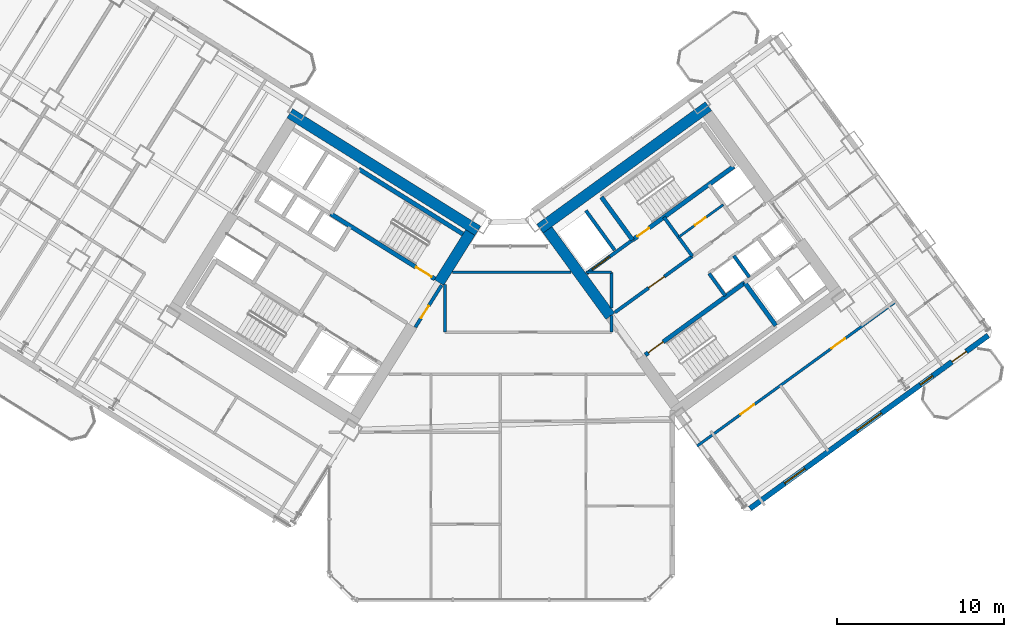
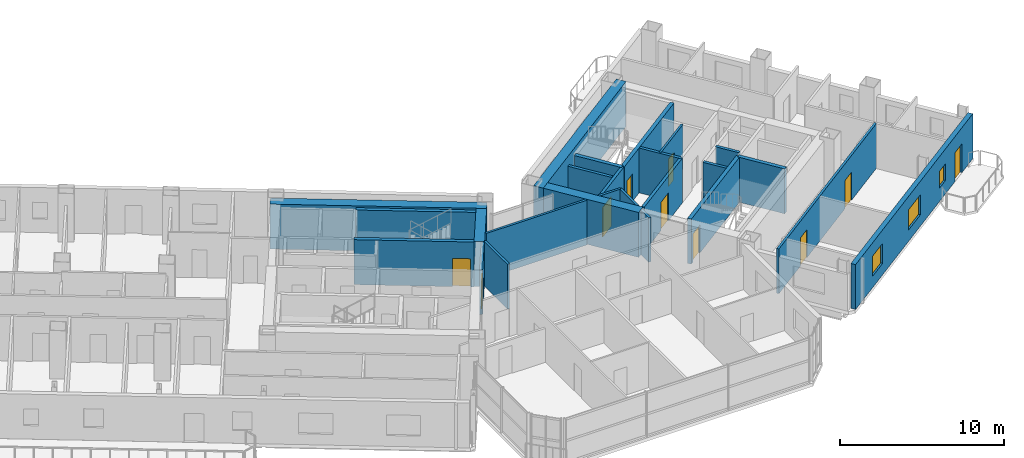
# One storey, part 18 of 24: 25 walls, 10 doors, 3 windows, 13 openings.
"""IFC4 building model written with IfcOpenShell, lengths in metres."""

from ifc_helpers import new_model, si_unit, direction, frame, frame_2d, origin, place, context, subcontext, project, spatial, rectangle, extrude, source, transform, mapped, material, layer, layer_set, type_object, element, fill, save


model = new_model("IFC4")

# Units and contexts
model_context = context("Model", 3, precision=1e-05, world=origin(), true_north=direction((0.0, 1.0)))
body_context = subcontext(model_context, "Body", "Model", "MODEL_VIEW")
ifc_project = project(units=[si_unit("LENGTHUNIT", "METRE"), si_unit("AREAUNIT", "SQUARE_METRE"), si_unit("VOLUMEUNIT", "CUBIC_METRE"), si_unit("PLANEANGLEUNIT", "RADIAN"), si_unit("MASSUNIT", "GRAM", prefix="KILO")], contexts=[model_context])

# Site, building, storey
site_placement = place(None, origin())
site = spatial("IfcSite", under=ifc_project, at=site_placement, CompositionType="ELEMENT")
building_placement = place(site_placement, origin())
building = spatial("IfcBuilding", under=site, at=building_placement, Name="Tlacorven Tower", CompositionType="ELEMENT")
storey_placement = place(building_placement, frame((0.0, 0.0, 60.0)))
storey = spatial("IfcBuildingStorey", under=building, at=storey_placement, Name="L15", CompositionType="ELEMENT", Elevation=60.0)

# Walls
ifc_material_1 = material(Name="Concrete C60/75", Category="concrete")
ifc_layer_1 = layer(ifc_material_1, 0.64990234375)
ifc_layer_set_1 = layer_set([ifc_layer_1], Name="Concrete C60/75")
wall_type_1 = type_object("IfcWallType", Name="WL-COR-650", PredefinedType="SHEAR", material=ifc_layer_set_1)
wall_1_placement = place(storey_placement, frame((40.615478515625, 23.9833984375, 0.0), z_axis=(0.0, 0.0, 1.0), x_axis=(-0.848045953968, 0.529922692436, 0.0)))
element("IfcWall", 1, at=wall_1_placement, inside=storey, type_object=wall_type_1, Name="L15 W core shear wall S1", PredefinedType="SHEAR", context=body_context, shape_type="SweptSolid", body=[
    extrude(rectangle(XDim=13.239990234375, YDim=0.64990234375, at=frame_2d((6.6201171875, 0.0))), origin(), (0.0, 0.0, 1.0), 3.35009765625),
])
wall_2_placement = place(storey_placement, frame((40.167724609375, 23.880126953125, 0.0), z_axis=(0.0, 0.0, 1.0), x_axis=(-0.529893103397, -0.8480644427, 0.0)))
element("IfcWall", 2, at=wall_2_placement, inside=storey, type_object=wall_type_1, Name="L15 W core end wall E1.1", PredefinedType="SHEAR", context=body_context, shape_type="SweptSolid", body=[
    extrude(rectangle(XDim=3.525146484375, YDim=0.64990234375, at=frame_2d((1.7626953125, 0.0))), origin(), (0.0, 0.0, 1.0), 3.35009765625),
])
wall_3_placement = place(storey_placement, frame((44.32470703125, 24.113037109375, 0.0), z_axis=(0.0, 0.0, 1.0), x_axis=(0.809012664862, 0.58779121131, 0.0)))
element("IfcWall", 3, at=wall_3_placement, inside=storey, type_object=wall_type_1, Name="L15 E core shear wall S2", PredefinedType="SHEAR", context=body_context, shape_type="SweptSolid", body=[
    extrude(rectangle(XDim=12.439697265625, YDim=0.64990234375, at=frame_2d((6.2197265625, 0.0))), origin(), (0.0, 0.0, 1.0), 3.35009765625),
])
wall_4_placement = place(storey_placement, frame((48.525634765625, 18.883544921875, 0.0), z_axis=(0.0, 0.0, 1.0), x_axis=(-0.58777996584, 0.809020835181, 0.0)))
element("IfcWall", 4, at=wall_4_placement, inside=storey, type_object=wall_type_1, Name="L15 E core end wall E1.2", PredefinedType="SHEAR", context=body_context, shape_type="SweptSolid", body=[
    extrude(rectangle(XDim=6.375, YDim=0.64990234375, at=frame_2d((3.1875, 0.0))), origin(), (0.0, 0.0, 1.0), 3.35009765625),
])
ifc_material_2 = material(Name="Gypsum plasterboard acoustic partition", Category="gypsum")
ifc_layer_2 = layer(ifc_material_2, 0.159912109375)
ifc_layer_set_2 = layer_set([ifc_layer_2], Name="Gypsum plasterboard acoustic partition")
wall_type_2 = type_object("IfcWallType", Name="WL-DEM-160", PredefinedType="PARTITIONING", material=ifc_layer_set_2)
wall_5_placement = place(storey_placement, frame((38.64990234375, 17.929931640625, 0.0), z_axis=(0.0, 0.0, 1.0), x_axis=(0.0, 1.0, 0.0)))
element("IfcWall", 5, at=wall_5_placement, inside=storey, type_object=wall_type_2, Name="L15 partition 75", PredefinedType="PARTITIONING", context=body_context, shape_type="SweptSolid", body=[
    extrude(rectangle(XDim=2.85693359375, YDim=0.159912109375, at=frame_2d((1.428466796875, 0.0))), origin(), (0.0, 0.0, 1.0), 3.340087890625),
])
wall_6_placement = place(storey_placement, frame((48.60009765625, 17.929931640625, 0.0), z_axis=(0.0, 0.0, 1.0), x_axis=(0.0, 1.0, 0.0)))
element("IfcWall", 6, at=wall_6_placement, inside=storey, type_object=wall_type_2, Name="L15 partition 76", PredefinedType="PARTITIONING", context=body_context, shape_type="SweptSolid", body=[
    extrude(rectangle(XDim=0.99267578125, YDim=0.159912109375, at=frame_2d((0.496337890625, 0.0))), origin(), (0.0, 0.0, 1.0), 3.340087890625),
])
wall_7_placement = place(storey_placement, frame((48.60009765625, 19.380126953125, 0.0), z_axis=(0.0, 0.0, 1.0), x_axis=(0.0, 1.0, 0.0)))
element("IfcWall", 7, at=wall_7_placement, inside=storey, type_object=wall_type_2, Name="L15 partition 76", PredefinedType="PARTITIONING", context=body_context, shape_type="SweptSolid", body=[
    extrude(rectangle(XDim=2.119873046875, YDim=0.159912109375, at=frame_2d((1.06005859375, 0.0))), origin(), (0.0, 0.0, 1.0), 3.340087890625),
])
wall_8_placement = place(storey_placement, frame((39.095458984375, 21.5, 0.0), z_axis=(0.0, 0.0, 1.0), x_axis=(1.0, 0.0, 0.0)))
element("IfcWall", 8, at=wall_8_placement, inside=storey, type_object=wall_type_2, Name="L15 partition 77", PredefinedType="PARTITIONING", context=body_context, shape_type="SweptSolid", body=[
    extrude(rectangle(XDim=7.09423828125, YDim=0.159912109375, at=frame_2d((3.547119140625, 0.0))), origin(), (0.0, 0.0, 1.0), 3.340087890625),
])
wall_9_placement = place(storey_placement, frame((47.059814453125, 21.5, 0.0), z_axis=(0.0, 0.0, 1.0), x_axis=(1.0, 0.0, 0.0)))
element("IfcWall", 9, at=wall_9_placement, inside=storey, type_object=wall_type_2, Name="L15 partition 77", PredefinedType="PARTITIONING", context=body_context, shape_type="SweptSolid", body=[
    extrude(rectangle(XDim=1.540283203125, YDim=0.159912109375, at=frame_2d((0.77001953125, 0.0))), origin(), (0.0, 0.0, 1.0), 3.340087890625),
])

# Wall, openings, doors
wall_10_placement = place(storey_placement, frame((53.70458984375, 11.1259765625, 0.0), z_axis=(0.0, 0.0, 1.0), x_axis=(0.809014504436, 0.587788679384, 0.0)))
wall_10 = element("IfcWall", 10, at=wall_10_placement, inside=storey, type_object=wall_type_2, Name="L15 partition 98", PredefinedType="PARTITIONING", context=body_context, shape_type="SweptSolid", body=[
    extrude(rectangle(XDim=14.669921875, YDim=0.159912109375, at=frame_2d((7.3349609375, 0.0))), origin(), (0.0, 0.0, 1.0), 3.340087890625),
])
opening_1_placement = place(wall_10_placement, frame((3.215087890625, 0.0, 0.0)))
opening_1 = element("IfcOpeningElement", 11, at=opening_1_placement, cuts=wall_10, Name="Opening D11", PredefinedType="OPENING", context=body_context, shape_type="SweptSolid", body=[
    extrude(rectangle(XDim=1.0, YDim=2.10009765625, at=frame_2d((0.5, 1.050048828125))), frame((0.0, 0.08984375, 0.0), z_axis=(0.0, -1.0, 0.0), x_axis=(1.0, 0.0, 0.0)), (0.0, 0.0, 1.0), 0.179931640625),
])
opening_2_placement = place(wall_10_placement, frame((9.9150390625, 0.0, 0.0)))
opening_2 = element("IfcOpeningElement", 12, at=opening_2_placement, cuts=wall_10, Name="Opening D11", PredefinedType="OPENING", context=body_context, shape_type="SweptSolid", body=[
    extrude(rectangle(XDim=1.0, YDim=2.10009765625, at=frame_2d((0.5, 1.050048828125))), frame((0.0, 0.08984375, 0.0), z_axis=(0.0, -1.0, 0.0), x_axis=(1.0, 0.0, 0.0)), (0.0, 0.0, 1.0), 0.179931640625),
])
ifc_material_3 = material(Name="Fire-rated steel door assembly", Category="steel")
door_type_1 = type_object("IfcDoorType", Name="DR-FLT-FD60-1000", OperationType="NOTDEFINED", PredefinedType="DOOR", material=ifc_material_3)
shared_shape_1 = source(origin(), body_context, "Body", "SweptSolid", [
    extrude(rectangle(XDim=1.0, YDim=2.10009765625, at=frame_2d((0.5, 1.050048828125))), frame((0.0, 0.02490234375, 0.0), z_axis=(0.0, -1.0, 0.0), x_axis=(1.0, 0.0, 0.0)), (0.0, 0.0, 1.0), 0.050048828125),
])
door_1_placement = place(opening_1_placement, origin())
door_1 = element("IfcDoor", 13, at=door_1_placement, inside=storey, type_object=door_type_1, Name="L15 door 059", OperationType="SINGLE_SWING_RIGHT", OverallHeight=2.10009765625, OverallWidth=1.0, PredefinedType="DOOR", context=body_context, shape_type="MappedRepresentation", body=[
    mapped(shared_shape_1, transform((0.0, 0.0, 0.0), scale=1.0)),
])
fill(opening_1, door_1)
door_2_placement = place(opening_2_placement, origin())
door_2 = element("IfcDoor", 14, at=door_2_placement, inside=storey, type_object=door_type_1, Name="L15 door 060", OperationType="SINGLE_SWING_LEFT", OverallHeight=2.10009765625, OverallWidth=1.0, PredefinedType="DOOR", context=body_context, shape_type="MappedRepresentation", body=[
    mapped(shared_shape_1, transform((0.0, 0.0, 0.0), scale=1.0)),
])
fill(opening_2, door_2)

# Wall, openings, door, windows
ifc_material_4 = material(Name="Precast concrete C45/55", Category="concrete")
ifc_layer_3 = layer(ifc_material_4, 0.320068359375)
ifc_layer_set_3 = layer_set([ifc_layer_3], Name="Precast concrete C45/55")
wall_type_3 = type_object("IfcWallType", Name="WL-EXT-320", PredefinedType="STANDARD", material=ifc_layer_set_3)
wall_11_placement = place(storey_placement, frame((71.097900390625, 17.73095703125, 0.0), z_axis=(0.0, 0.0, 1.0), x_axis=(-0.809021120468, -0.587779573171, 0.0)))
wall_11 = element("IfcWall", 15, at=wall_11_placement, inside=storey, type_object=wall_type_3, Name="L15 Masonry-Frame Recessed Facade Wall 6", PredefinedType="STANDARD", context=body_context, shape_type="SweptSolid", body=[
    extrude(rectangle(XDim=17.587646484375, YDim=0.320068359375, at=frame_2d((8.7939453125, 0.0))), origin(), (0.0, 0.0, 1.0), 3.35009765625),
])
opening_3_placement = place(wall_11_placement, frame((1.623779296875, 0.0, 0.0)))
opening_3 = element("IfcOpeningElement", 16, at=opening_3_placement, cuts=wall_11, Name="Opening D06", PredefinedType="OPENING", context=body_context, shape_type="SweptSolid", body=[
    extrude(rectangle(XDim=1.050048828125, YDim=2.14990234375, at=frame_2d((0.52490234375, 1.074951171875))), frame((0.0, 0.169921875, 0.0), z_axis=(0.0, -1.0, 0.0), x_axis=(1.0, 0.0, 0.0)), (0.0, 0.0, 1.0), 0.340087890625),
])
opening_4_placement = place(wall_11_placement, frame((4.103759765625, 0.0, 1.0)))
opening_4 = element("IfcOpeningElement", 17, at=opening_4_placement, cuts=wall_11, Name="Opening WN05", PredefinedType="OPENING", context=body_context, shape_type="SweptSolid", body=[
    extrude(rectangle(XDim=0.89990234375, YDim=1.25, at=frame_2d((0.449951171875, 0.625))), frame((0.0, 0.169921875, 0.0), z_axis=(0.0, -1.0, 0.0), x_axis=(1.0, 0.0, 0.0)), (0.0, 0.0, 1.0), 0.340087890625),
])
opening_5_placement = place(wall_11_placement, frame((7.878662109375, 0.0, 0.85009765625)))
opening_5 = element("IfcOpeningElement", 18, at=opening_5_placement, cuts=wall_11, Name="Opening WN01", PredefinedType="OPENING", context=body_context, shape_type="SweptSolid", body=[
    extrude(rectangle(XDim=1.800048828125, YDim=1.5, at=frame_2d((0.89990234375, 0.75))), frame((0.0, 0.169921875, 0.0), z_axis=(0.0, -1.0, 0.0), x_axis=(1.0, 0.0, 0.0)), (0.0, 0.0, 1.0), 0.340087890625),
])
opening_6_placement = place(wall_11_placement, frame((13.52880859375, 0.0, 0.85009765625)))
opening_6 = element("IfcOpeningElement", 19, at=opening_6_placement, cuts=wall_11, Name="Opening WN02", PredefinedType="OPENING", context=body_context, shape_type="SweptSolid", body=[
    extrude(rectangle(XDim=1.5, YDim=1.5, at=frame_2d((0.75, 0.75))), frame((0.0, 0.169921875, 0.0), z_axis=(0.0, -1.0, 0.0), x_axis=(1.0, 0.0, 0.0)), (0.0, 0.0, 1.0), 0.340087890625),
])
ifc_material_5 = material(Name="Powder-coated aluminium and timber door", Category="wood")
door_type_2 = type_object("IfcDoorType", Name="DR-EXT-BALC-1050", OperationType="NOTDEFINED", PredefinedType="DOOR", material=ifc_material_5)
shared_shape_2 = source(origin(), body_context, "Body", "SweptSolid", [
    extrude(rectangle(XDim=1.050048828125, YDim=2.14990234375, at=frame_2d((0.52490234375, 1.074951171875))), frame((0.0, 0.02490234375, 0.0), z_axis=(0.0, -1.0, 0.0), x_axis=(1.0, 0.0, 0.0)), (0.0, 0.0, 1.0), 0.050048828125),
])
door_3_placement = place(opening_3_placement, origin())
door_3 = element("IfcDoor", 20, at=door_3_placement, inside=storey, type_object=door_type_2, Name="L15 Outdoor Access Door BAL-L15-E-OUT", OperationType="SINGLE_SWING_LEFT", OverallHeight=2.14990234375, OverallWidth=1.050048828125, PredefinedType="DOOR", context=body_context, shape_type="MappedRepresentation", body=[
    mapped(shared_shape_2, transform((0.0, 0.0, 0.0), scale=1.0)),
])
fill(opening_3, door_3)
ifc_material_6 = material(Name="Dark solar low-E double glazing in anodised aluminium frame", Category="aluminium")
window_type_1 = type_object("IfcWindowType", Name="WN-APT-1800X1650", PartitioningType="SINGLE_PANEL", PredefinedType="WINDOW", material=ifc_material_6)
shared_shape_3 = source(origin(), body_context, "Body", "SweptSolid", [
    extrude(rectangle(XDim=1.800048828125, YDim=1.5, at=frame_2d((0.89990234375, 0.75))), frame((0.0, 0.030029296875, 0.0), z_axis=(0.0, -1.0, 0.0), x_axis=(1.0, 0.0, 0.0)), (0.0, 0.0, 1.0), 0.06005859375),
])
window_1_placement = place(opening_5_placement, origin())
window_1 = element("IfcWindow", 21, at=window_1_placement, inside=storey, type_object=window_type_1, Name="L15 Recessed Masonry-Frame Window L15-06.2", OverallHeight=1.5, OverallWidth=1.800048828125, PartitioningType="SINGLE_PANEL", PredefinedType="WINDOW", context=body_context, shape_type="MappedRepresentation", body=[
    mapped(shared_shape_3, transform((0.0, 0.0, 0.0), scale=1.0)),
])
fill(opening_5, window_1)
window_type_2 = type_object("IfcWindowType", Name="WN-APT-1500X1650", PartitioningType="SINGLE_PANEL", PredefinedType="WINDOW", material=ifc_material_6)
shared_shape_4 = source(origin(), body_context, "Body", "SweptSolid", [
    extrude(rectangle(XDim=1.5, YDim=1.5, at=frame_2d((0.75, 0.75))), frame((0.0, 0.030029296875, 0.0), z_axis=(0.0, -1.0, 0.0), x_axis=(1.0, 0.0, 0.0)), (0.0, 0.0, 1.0), 0.06005859375),
])
window_2_placement = place(opening_6_placement, origin())
window_2 = element("IfcWindow", 22, at=window_2_placement, inside=storey, type_object=window_type_2, Name="L15 Recessed Masonry-Frame Window L15-06.3", OverallHeight=1.5, OverallWidth=1.5, PartitioningType="SINGLE_PANEL", PredefinedType="WINDOW", context=body_context, shape_type="MappedRepresentation", body=[
    mapped(shared_shape_4, transform((0.0, 0.0, 0.0), scale=1.0)),
])
fill(opening_6, window_2)
window_type_3 = type_object("IfcWindowType", Name="WN-APT-0900X1350", PartitioningType="SINGLE_PANEL", PredefinedType="WINDOW", material=ifc_material_6)
shared_shape_5 = source(origin(), body_context, "Body", "SweptSolid", [
    extrude(rectangle(XDim=0.89990234375, YDim=1.25, at=frame_2d((0.449951171875, 0.625))), frame((0.0, 0.030029296875, 0.0), z_axis=(0.0, -1.0, 0.0), x_axis=(1.0, 0.0, 0.0)), (0.0, 0.0, 1.0), 0.06005859375),
])
window_3_placement = place(opening_4_placement, origin())
window_3 = element("IfcWindow", 23, at=window_3_placement, inside=storey, type_object=window_type_3, Name="L15 Recessed Masonry-Frame Window L15-06.1", OverallHeight=1.25, OverallWidth=0.89990234375, PartitioningType="SINGLE_PANEL", PredefinedType="WINDOW", context=body_context, shape_type="MappedRepresentation", body=[
    mapped(shared_shape_5, transform((0.0, 0.0, 0.0), scale=1.0)),
])
fill(opening_4, window_3)

# Wall, opening, door
ifc_material_7 = material(Name="Moisture-resistant gypsum plumbing wall", Category="gypsum")
ifc_layer_4 = layer(ifc_material_7, 0.139892578125)
ifc_layer_set_4 = layer_set([ifc_layer_4], Name="Moisture-resistant gypsum plumbing wall")
wall_type_4 = type_object("IfcWallType", Name="WL-PLM-140", PredefinedType="PLUMBINGWALL", material=ifc_layer_set_4)
wall_12_placement = place(storey_placement, frame((52.617919921875, 23.612060546875, 0.0), z_axis=(0.0, 0.0, 1.0), x_axis=(0.809009587469, 0.587795446889, 0.0)))
wall_12 = element("IfcWall", 24, at=wall_12_placement, inside=storey, type_object=wall_type_4, Name="L15 partition 45", PredefinedType="PLUMBINGWALL", context=body_context, shape_type="SweptSolid", body=[
    extrude(rectangle(XDim=3.280029296875, YDim=0.139892578125, at=frame_2d((1.64013671875, 0.0))), origin(), (0.0, 0.0, 1.0), 3.340087890625),
])
opening_7_placement = place(wall_12_placement, frame((1.199951171875, 0.0, 0.0)))
opening_7 = element("IfcOpeningElement", 25, at=opening_7_placement, cuts=wall_12, Name="Opening D22", PredefinedType="OPENING", context=body_context, shape_type="SweptSolid", body=[
    extrude(rectangle(XDim=0.780029296875, YDim=2.050048828125, at=frame_2d((0.39013671875, 1.02490234375))), frame((0.0, 0.080078125, 0.0), z_axis=(0.0, -1.0, 0.0), x_axis=(1.0, 0.0, 0.0)), (0.0, 0.0, 1.0), 0.159912109375),
])
door_type_3 = type_object("IfcDoorType", Name="DR-INT-WET-0780", OperationType="NOTDEFINED", PredefinedType="DOOR", material=ifc_material_5)
shared_shape_6 = source(origin(), body_context, "Body", "SweptSolid", [
    extrude(rectangle(XDim=0.780029296875, YDim=2.050048828125, at=frame_2d((0.39013671875, 1.02490234375))), frame((0.0, 0.02490234375, 0.0), z_axis=(0.0, -1.0, 0.0), x_axis=(1.0, 0.0, 0.0)), (0.0, 0.0, 1.0), 0.050048828125),
])
door_4_placement = place(opening_7_placement, origin())
door_4 = element("IfcDoor", 26, at=door_4_placement, inside=storey, type_object=door_type_3, Name="L15 door 018", OperationType="SINGLE_SWING_RIGHT", OverallHeight=2.050048828125, OverallWidth=0.780029296875, PredefinedType="DOOR", context=body_context, shape_type="MappedRepresentation", body=[
    mapped(shared_shape_6, transform((0.0, 0.0, 0.0), scale=1.0)),
])
fill(opening_7, door_4)

ifc_material_8 = material(Name="Concrete C40/50", Category="concrete")
ifc_layer_5 = layer(ifc_material_8, 0.199951171875)
ifc_layer_set_5 = layer_set([ifc_layer_5], Name="Concrete C40/50")
wall_type_5 = type_object("IfcWallType", Name="WL-SHF-200", PredefinedType="STANDARD", material=ifc_layer_set_5)
wall_13_placement = place(storey_placement, frame((47.10595703125, 21.4365234375, 0.0), z_axis=(0.0, 0.0, 1.0), x_axis=(0.809012514015, 0.58779141893, 0.0)))
wall_13 = element("IfcWall", 27, at=wall_13_placement, inside=storey, type_object=wall_type_5, Name="L15 Core E Firefighting Lift Shaft Front Wall", PredefinedType="STANDARD", context=body_context, shape_type="SweptSolid", body=[
    extrude(rectangle(XDim=3.39794921875, YDim=0.199951171875, at=frame_2d((1.698974609375, 0.0))), origin(), (0.0, 0.0, 1.0), 3.340087890625),
])
opening_8_placement = place(wall_13_placement, frame((0.407958984375, 0.0, 0.0)))
opening_8 = element("IfcOpeningElement", 28, at=opening_8_placement, cuts=wall_13, Name="Opening LD03", PredefinedType="OPENING", context=body_context, shape_type="SweptSolid", body=[
    extrude(rectangle(XDim=1.300048828125, YDim=2.199951171875, at=frame_2d((0.64990234375, 1.10009765625))), frame((0.0, 0.10986328125, 0.0), z_axis=(0.0, -1.0, 0.0), x_axis=(1.0, 0.0, 0.0)), (0.0, 0.0, 1.0), 0.219970703125),
])
door_type_4 = type_object("IfcDoorType", Name="DR-LFT-SLID-1300", OperationType="DOUBLE_DOOR_SLIDING", PredefinedType="DOOR", material=ifc_material_3)
shared_shape_7 = source(origin(), body_context, "Body", "SweptSolid", [
    extrude(rectangle(XDim=1.300048828125, YDim=2.199951171875, at=frame_2d((0.64990234375, 1.10009765625))), frame((0.0, 0.02490234375, 0.0), z_axis=(0.0, -1.0, 0.0), x_axis=(1.0, 0.0, 0.0)), (0.0, 0.0, 1.0), 0.050048828125),
])
door_5_placement = place(opening_8_placement, origin())
door_5 = element("IfcDoor", 29, at=door_5_placement, inside=storey, type_object=door_type_4, Name="L15 Lift FFL-E1 Sliding Landing Door", OperationType="DOUBLE_DOOR_SLIDING", OverallHeight=2.199951171875, OverallWidth=1.300048828125, PredefinedType="DOOR", context=body_context, shape_type="MappedRepresentation", body=[
    mapped(shared_shape_7, transform((0.0, 0.0, 0.0), scale=1.0)),
])
fill(opening_8, door_5)

wall_14_placement = place(storey_placement, frame((48.798828125, 19.106689453125, 0.0), z_axis=(0.0, 0.0, 1.0), x_axis=(0.809012959416, 0.587790805897, 0.0)))
wall_14 = element("IfcWall", 30, at=wall_14_placement, inside=storey, type_object=wall_type_5, Name="L15 Core E Smoke Lobby Wall", PredefinedType="STANDARD", context=body_context, shape_type="SweptSolid", body=[
    extrude(rectangle(XDim=5.7177734375, YDim=0.199951171875, at=frame_2d((2.85888671875, 0.0))), origin(), (0.0, 0.0, 1.0), 3.340087890625),
])
opening_9_placement = place(wall_14_placement, frame((2.498046875, 0.0, 0.0)))
opening_9 = element("IfcOpeningElement", 31, at=opening_9_placement, cuts=wall_14, Name="Opening D09", PredefinedType="OPENING", context=body_context, shape_type="SweptSolid", body=[
    extrude(rectangle(XDim=1.14990234375, YDim=2.10009765625, at=frame_2d((0.574951171875, 1.050048828125))), frame((0.0, 0.10986328125, 0.0), z_axis=(0.0, -1.0, 0.0), x_axis=(1.0, 0.0, 0.0)), (0.0, 0.0, 1.0), 0.219970703125),
])
door_type_5 = type_object("IfcDoorType", Name="DR-FFL-FD60-1150", OperationType="NOTDEFINED", PredefinedType="DOOR", material=ifc_material_3)
shared_shape_8 = source(origin(), body_context, "Body", "SweptSolid", [
    extrude(rectangle(XDim=1.14990234375, YDim=2.10009765625, at=frame_2d((0.574951171875, 1.050048828125))), frame((0.0, 0.02490234375, 0.0), z_axis=(0.0, -1.0, 0.0), x_axis=(1.0, 0.0, 0.0)), (0.0, 0.0, 1.0), 0.050048828125),
])
door_6_placement = place(opening_9_placement, origin())
door_6 = element("IfcDoor", 32, at=door_6_placement, inside=storey, type_object=door_type_5, Name="L15 Firefighting Lobby E Fire Door", OperationType="SINGLE_SWING_RIGHT", OverallHeight=2.10009765625, OverallWidth=1.14990234375, PredefinedType="DOOR", context=body_context, shape_type="MappedRepresentation", body=[
    mapped(shared_shape_8, transform((0.0, 0.0, 0.0), scale=1.0)),
])
fill(opening_9, door_6)

# Walls
wall_15_placement = place(storey_placement, frame((55.390869140625, 20.1015625, 0.0), z_axis=(0.0, 0.0, 1.0), x_axis=(-0.58778447739, 0.809017557374, 0.0)))
element("IfcWall", 33, at=wall_15_placement, inside=storey, type_object=wall_type_5, Name="L15 partition 34", PredefinedType="STANDARD", context=body_context, shape_type="SweptSolid", body=[
    extrude(rectangle(XDim=1.64990234375, YDim=0.199951171875, at=frame_2d((0.824951171875, 0.0))), origin(), (0.0, 0.0, 1.0), 3.340087890625),
])
wall_16_placement = place(storey_placement, frame((48.78564453125, 22.830078125, 0.0), z_axis=(0.0, 0.0, 1.0), x_axis=(-0.587783856777, 0.809018008275, 0.0)))
element("IfcWall", 34, at=wall_16_placement, inside=storey, type_object=wall_type_5, Name="L15 partition 35", PredefinedType="STANDARD", context=body_context, shape_type="SweptSolid", body=[
    extrude(rectangle(XDim=2.919921875, YDim=0.199951171875, at=frame_2d((1.4599609375, 0.0))), origin(), (0.0, 0.0, 1.0), 3.340087890625),
])
wall_17_placement = place(storey_placement, frame((56.833984375, 21.211669921875, 0.0), z_axis=(0.0, 0.0, 1.0), x_axis=(-0.58776738483, 0.809029975545, 0.0)))
element("IfcWall", 35, at=wall_17_placement, inside=storey, type_object=wall_type_5, Name="L15 partition 36", PredefinedType="STANDARD", context=body_context, shape_type="SweptSolid", body=[
    extrude(rectangle(XDim=1.580078125, YDim=0.199951171875, at=frame_2d((0.7900390625, 0.0))), origin(), (0.0, 0.0, 1.0), 3.340087890625),
])
wall_18_placement = place(storey_placement, frame((53.424560546875, 22.467529296875, 0.0), z_axis=(0.0, 0.0, 1.0), x_axis=(-0.5877230039, 0.809062216821, 0.0)))
element("IfcWall", 36, at=wall_18_placement, inside=storey, type_object=wall_type_5, Name="L15 partition 42", PredefinedType="STANDARD", context=body_context, shape_type="SweptSolid", body=[
    extrude(rectangle(XDim=2.8798828125, YDim=0.199951171875, at=frame_2d((1.43994140625, 0.0))), origin(), (0.0, 0.0, 1.0), 3.340087890625),
])

# Wall, opening, door
wall_19_placement = place(storey_placement, frame((38.451416015625, 20.737060546875, 0.0), z_axis=(0.0, 0.0, 1.0), x_axis=(-0.529924799939, -0.848044637038, 0.0)))
wall_19 = element("IfcWall", 37, at=wall_19_placement, inside=storey, type_object=wall_type_5, Name="L15 partition 72", PredefinedType="STANDARD", context=body_context, shape_type="SweptSolid", body=[
    extrude(rectangle(XDim=2.9599609375, YDim=0.199951171875, at=frame_2d((1.47998046875, 0.0))), origin(), (0.0, 0.0, 1.0), 3.340087890625),
])
opening_10_placement = place(wall_19_placement, frame((1.4599609375, 0.0, 0.0)))
opening_10 = element("IfcOpeningElement", 38, at=opening_10_placement, cuts=wall_19, Name="Opening D19", PredefinedType="OPENING", context=body_context, shape_type="SweptSolid", body=[
    extrude(rectangle(XDim=0.860107421875, YDim=2.050048828125, at=frame_2d((0.43017578125, 1.02490234375))), frame((0.0, 0.10986328125, 0.0), z_axis=(0.0, -1.0, 0.0), x_axis=(1.0, 0.0, 0.0)), (0.0, 0.0, 1.0), 0.219970703125),
])
door_type_6 = type_object("IfcDoorType", Name="DR-RSR-FD60-0860", OperationType="NOTDEFINED", PredefinedType="DOOR", material=ifc_material_3)
shared_shape_9 = source(origin(), body_context, "Body", "SweptSolid", [
    extrude(rectangle(XDim=0.860107421875, YDim=2.050048828125, at=frame_2d((0.43017578125, 1.02490234375))), frame((0.0, 0.02490234375, 0.0), z_axis=(0.0, -1.0, 0.0), x_axis=(1.0, 0.0, 0.0)), (0.0, 0.0, 1.0), 0.050048828125),
])
door_7_placement = place(opening_10_placement, frame((0.860107421875, 0.0, 0.0), z_axis=(0.0, 0.0, 1.0), x_axis=(-1.0, 0.0, 0.0)))
door_7 = element("IfcDoor", 39, at=door_7_placement, inside=storey, type_object=door_type_6, Name="L15 door 041", OperationType="SINGLE_SWING_LEFT", OverallHeight=2.050048828125, OverallWidth=0.860107421875, PredefinedType="DOOR", context=body_context, shape_type="MappedRepresentation", body=[
    mapped(shared_shape_9, transform((0.0, 0.0, 0.0), scale=1.0)),
])
fill(opening_10, door_7)

# Wall
ifc_material_9 = material(Name="Concrete C50/60", Category="concrete")
ifc_layer_6 = layer(ifc_material_9, 0.260009765625)
ifc_layer_set_6 = layer_set([ifc_layer_6], Name="Concrete C50/60")
wall_type_6 = type_object("IfcWallType", Name="WL-STW-260", PredefinedType="SHEAR", material=ifc_layer_set_6)
wall_20_placement = place(storey_placement, frame((39.720947265625, 23.787841796875, 0.0), z_axis=(0.0, 0.0, 1.0), x_axis=(-0.848054434086, 0.529909121291, 0.0)))
element("IfcWall", 40, at=wall_20_placement, inside=storey, type_object=wall_type_6, Name="L15 Stair W2 Far Shear Wall", PredefinedType="SHEAR", context=body_context, shape_type="SweptSolid", body=[
    extrude(rectangle(XDim=7.330078125, YDim=0.260009765625, at=frame_2d((3.6650390625, 0.0))), origin(), (0.0, 0.0, 1.0), 3.35009765625),
])

# Wall, opening, door
wall_21_placement = place(storey_placement, frame((38.04638671875, 21.10791015625, 0.0), z_axis=(0.0, 0.0, 1.0), x_axis=(-0.848054434086, 0.529909121291, 0.0)))
wall_21 = element("IfcWall", 41, at=wall_21_placement, inside=storey, type_object=wall_type_6, Name="L15 Stair W2 Lobby Shear Wall", PredefinedType="SHEAR", context=body_context, shape_type="SweptSolid", body=[
    extrude(rectangle(XDim=7.330078125, YDim=0.260009765625, at=frame_2d((3.6650390625, 0.0))), origin(), (0.0, 0.0, 1.0), 3.35009765625),
])
opening_11_placement = place(wall_21_placement, frame((0.219970703125, 0.0, 0.0)))
opening_11 = element("IfcOpeningElement", 42, at=opening_11_placement, cuts=wall_21, Name="Opening D07", PredefinedType="OPENING", context=body_context, shape_type="SweptSolid", body=[
    extrude(rectangle(XDim=1.10009765625, YDim=2.10009765625, at=frame_2d((0.550048828125, 1.050048828125))), frame((0.0, 0.14013671875, 0.0), z_axis=(0.0, -1.0, 0.0), x_axis=(1.0, 0.0, 0.0)), (0.0, 0.0, 1.0), 0.280029296875),
])
door_type_7 = type_object("IfcDoorType", Name="DR-STR-FD90-1100", OperationType="NOTDEFINED", PredefinedType="DOOR", material=ifc_material_3)
shared_shape_10 = source(origin(), body_context, "Body", "SweptSolid", [
    extrude(rectangle(XDim=1.10009765625, YDim=2.10009765625, at=frame_2d((0.550048828125, 1.050048828125))), frame((0.0, 0.02490234375, 0.0), z_axis=(0.0, -1.0, 0.0), x_axis=(1.0, 0.0, 0.0)), (0.0, 0.0, 1.0), 0.050048828125),
])
door_8_placement = place(opening_11_placement, origin())
door_8 = element("IfcDoor", 43, at=door_8_placement, inside=storey, type_object=door_type_7, Name="L15 Exit Stair W2 Fire Door", OperationType="SINGLE_SWING_RIGHT", OverallHeight=2.10009765625, OverallWidth=1.10009765625, PredefinedType="DOOR", context=body_context, shape_type="MappedRepresentation", body=[
    mapped(shared_shape_10, transform((0.0, 0.0, 0.0), scale=1.0)),
])
fill(opening_11, door_8)

wall_22_placement = place(storey_placement, frame((49.863037109375, 23.439697265625, 0.0), z_axis=(0.0, 0.0, 1.0), x_axis=(0.809003474932, 0.587803859759, 0.0)))
wall_22 = element("IfcWall", 44, at=wall_22_placement, inside=storey, type_object=wall_type_6, Name="L15 Stair E1 Lobby Shear Wall", PredefinedType="SHEAR", context=body_context, shape_type="SweptSolid", body=[
    extrude(rectangle(XDim=7.4599609375, YDim=0.260009765625, at=frame_2d((3.72998046875, 0.0))), origin(), (0.0, 0.0, 1.0), 3.35009765625),
])
opening_12_placement = place(wall_22_placement, frame((0.360107421875, 0.0, 0.0)))
opening_12 = element("IfcOpeningElement", 45, at=opening_12_placement, cuts=wall_22, Name="Opening D19", PredefinedType="OPENING", context=body_context, shape_type="SweptSolid", body=[
    extrude(rectangle(XDim=0.860107421875, YDim=2.050048828125, at=frame_2d((0.43017578125, 1.02490234375))), frame((0.0, 0.14013671875, 0.0), z_axis=(0.0, -1.0, 0.0), x_axis=(1.0, 0.0, 0.0)), (0.0, 0.0, 1.0), 0.280029296875),
])
door_9_placement = place(opening_12_placement, frame((0.860107421875, 0.0, 0.0), z_axis=(0.0, 0.0, 1.0), x_axis=(-1.0, 0.0, 0.0)))
door_9 = element("IfcDoor", 46, at=door_9_placement, inside=storey, type_object=door_type_6, Name="L15 Exit Stair E1 Fire Door", OperationType="SINGLE_SWING_LEFT", OverallHeight=2.050048828125, OverallWidth=0.860107421875, PredefinedType="DOOR", context=body_context, shape_type="MappedRepresentation", body=[
    mapped(shared_shape_9, transform((0.0, 0.0, 0.0), scale=1.0)),
])
fill(opening_12, door_9)

# Wall
wall_23_placement = place(storey_placement, frame((49.85498046875, 23.433837890625, 0.0), z_axis=(0.0, 0.0, 1.0), x_axis=(-0.58776738483, 0.809029975545, 0.0)))
element("IfcWall", 47, at=wall_23_placement, inside=storey, type_object=wall_type_6, Name="L15 Stair E1 West Shear Wall", PredefinedType="SHEAR", context=body_context, shape_type="SweptSolid", body=[
    extrude(rectangle(XDim=3.16015625, YDim=0.260009765625, at=frame_2d((1.580078125, 0.0))), origin(), (0.0, 0.0, 1.0), 3.35009765625),
])

# Wall, opening, door
wall_24_placement = place(storey_placement, frame((50.61474609375, 16.569580078125, 0.0), z_axis=(0.0, 0.0, 1.0), x_axis=(0.809028366311, 0.587769599847, 0.0)))
wall_24 = element("IfcWall", 48, at=wall_24_placement, inside=storey, type_object=wall_type_6, Name="L15 Stair E2 Lobby Shear Wall", PredefinedType="SHEAR", context=body_context, shape_type="SweptSolid", body=[
    extrude(rectangle(XDim=7.330078125, YDim=0.260009765625, at=frame_2d((3.6650390625, 0.0))), origin(), (0.0, 0.0, 1.0), 3.35009765625),
])
opening_13_placement = place(wall_24_placement, frame((0.219970703125, 0.0, 0.0)))
opening_13 = element("IfcOpeningElement", 49, at=opening_13_placement, cuts=wall_24, Name="Opening D07", PredefinedType="OPENING", context=body_context, shape_type="SweptSolid", body=[
    extrude(rectangle(XDim=1.10009765625, YDim=2.10009765625, at=frame_2d((0.550048828125, 1.050048828125))), frame((0.0, 0.14013671875, 0.0), z_axis=(0.0, -1.0, 0.0), x_axis=(1.0, 0.0, 0.0)), (0.0, 0.0, 1.0), 0.280029296875),
])
door_10_placement = place(opening_13_placement, origin())
door_10 = element("IfcDoor", 50, at=door_10_placement, inside=storey, type_object=door_type_7, Name="L15 Exit Stair E2 Fire Door", OperationType="SINGLE_SWING_LEFT", OverallHeight=2.10009765625, OverallWidth=1.10009765625, PredefinedType="DOOR", context=body_context, shape_type="MappedRepresentation", body=[
    mapped(shared_shape_10, transform((0.0, 0.0, 0.0), scale=1.0)),
])
fill(opening_13, door_10)

# Wall
wall_25_placement = place(storey_placement, frame((58.410400390625, 18.327392578125, 0.0), z_axis=(0.0, 0.0, 1.0), x_axis=(-0.58776738483, 0.809029975545, 0.0)))
element("IfcWall", 51, at=wall_25_placement, inside=storey, type_object=wall_type_6, Name="L15 Stair E2 East Shear Wall", PredefinedType="SHEAR", context=body_context, shape_type="SweptSolid", body=[
    extrude(rectangle(XDim=3.16015625, YDim=0.260009765625, at=frame_2d((1.580078125, 0.0))), origin(), (0.0, 0.0, 1.0), 3.35009765625),
])

save(model, "model.ifc")
